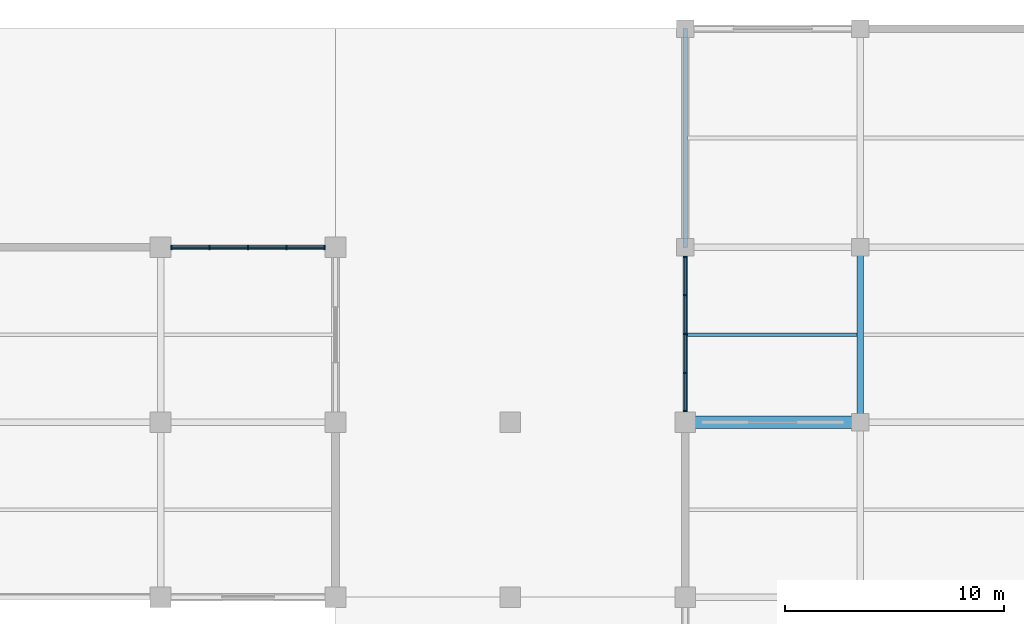
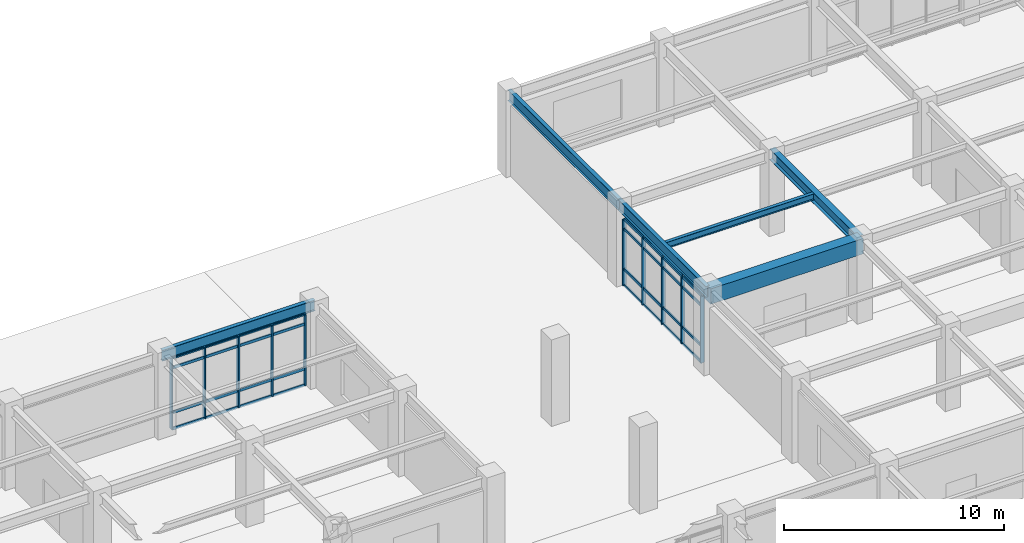
# One storey, part 48 of 109: 42 members, 6 beams, 2 elements without a shape of their own.
"""IFC4 building model written with IfcOpenShell, lengths in metres."""

from ifc_helpers import new_model, si_unit, direction, frame, origin, origin_2d, place, context, subcontext, project, spatial, rectangle, i_section, extrude, material, layer, layer_set, material_profile, profile_set, type_object, element, aggregate, save


model = new_model("IFC4")

# Units and contexts
model_context = context("Model", 3, precision=1e-05, world=origin(), true_north=direction((0.0, 1.0)))
body_context = subcontext(model_context, "Body", "Model", "MODEL_VIEW")
ifc_project = project(units=[si_unit("LENGTHUNIT", "METRE"), si_unit("AREAUNIT", "SQUARE_METRE"), si_unit("VOLUMEUNIT", "CUBIC_METRE"), si_unit("PLANEANGLEUNIT", "RADIAN"), si_unit("MASSUNIT", "GRAM", prefix="KILO")], contexts=[model_context])

# Site, building, storey
site_placement = place(None, origin())
site = spatial("IfcSite", under=ifc_project, at=site_placement, CompositionType="ELEMENT")
building_placement = place(site_placement, origin())
building = spatial("IfcBuilding", under=site, at=building_placement, Name="Haebicheon Civic Stadium", CompositionType="ELEMENT")
storey_placement = place(building_placement, frame((0.0, 0.0, 9.60009765625)))
storey = spatial("IfcBuildingStorey", under=building, at=storey_placement, Name="L03", CompositionType="ELEMENT", Elevation=9.60009765625)

# Beams
ifc_material_1 = material(Name="Concrete C40/50", Category="concrete")
ifc_material_profile_1 = material_profile(ifc_material_1, rectangle(XDim=0.550048828125, YDim=0.85009765625, at=origin_2d()), Name="RC-BM-550x850")
ifc_profile_set_1 = profile_set([ifc_material_profile_1], Name="Concrete C40/50")
beam_type_1 = type_object("IfcBeamType", Name="BM-RC-550x850", PredefinedType="BEAM", material=ifc_profile_set_1)
beam_1_placement = place(storey_placement, frame((160.0, 160.0, 4.114990234375), z_axis=(1.0, 0.0, 0.0), x_axis=(0.0, 1.0, 0.0)))
element("IfcBeam", 1, at=beam_1_placement, inside=storey, type_object=beam_type_1, material=ifc_profile_set_1, Name="L03 beam W/21-22", PredefinedType="BEAM", context=body_context, shape_type="SweptSolid", body=[
    extrude(rectangle(XDim=0.550048828125, YDim=0.85009765625, at=origin_2d()), origin(), (0.0, 0.0, 1.0), 8.0),
])
ifc_material_2 = material(Name="Steel SM355 (S355)", Category="steel")
ifc_material_profile_2 = material_profile(ifc_material_2, i_section(OverallWidth=0.300048828125, OverallDepth=0.60009765625, WebThickness=0.011962890625, FlangeThickness=0.02001953125, at=origin_2d()), Name="H-600x300x12x20")
ifc_profile_set_2 = profile_set([ifc_material_profile_2], Name="Steel SM355 (S355)")
beam_type_2 = type_object("IfcBeamType", Name="BM-ST-H600A", PredefinedType="BEAM", material=ifc_profile_set_2)
beam_2_placement = place(storey_placement, frame((168.0, 160.0, 4.239990234375), z_axis=(0.0, 1.0, 0.0), x_axis=(-1.0, 0.0, 0.0)))
element("IfcBeam", 2, at=beam_2_placement, inside=storey, type_object=beam_type_2, material=ifc_profile_set_2, Name="L03 girder 22/W-X", PredefinedType="BEAM", context=body_context, shape_type="SweptSolid", body=[
    extrude(i_section(OverallWidth=0.300048828125, OverallDepth=0.60009765625, WebThickness=0.011962890625, FlangeThickness=0.02001953125, at=origin_2d()), origin(), (0.0, 0.0, 1.0), 8.0),
])

# Curtain wall, members
ifc_material_3 = material(Name="Anodised aluminium and laminated glass", Category="aluminium")
ifc_layer_1 = layer(ifc_material_3, 0.179931640625, Name="Anodised aluminium and laminated glass")
ifc_layer_set_1 = layer_set([ifc_layer_1], Name="Anodised aluminium and laminated glass")
curtain_wall_type_1 = type_object("IfcCurtainWallType", Name="CW-7050x3930", PredefinedType="NOTDEFINED", material=ifc_layer_set_1)
curtain_wall_1_placement = place(storey_placement, origin())
curtain_wall_1 = element("IfcCurtainWall", 3, at=curtain_wall_1_placement, inside=storey, type_object=curtain_wall_type_1, material=ifc_layer_set_1, Name="L03 unitised curtain wall 083", PredefinedType="NOTDEFINED")
ifc_material_4 = material(Name="Anodised aluminium 6063-T6", Category="aluminium")
ifc_material_profile_3 = material_profile(ifc_material_4, rectangle(XDim=0.070068359375, YDim=0.199951171875, at=origin_2d()), Name="ALU-MULL-70x200")
ifc_profile_set_3 = profile_set([ifc_material_profile_3], Name="Anodised aluminium 6063-T6")
member_type_1 = type_object("IfcMemberType", Name="CWM-200x70", PredefinedType="MULLION", material=ifc_profile_set_3)
member_1_placement = place(storey_placement, frame((136.510009765625, 168.0, 0.0), z_axis=(0.0, 0.0, 1.0), x_axis=(1.0, 0.0, 0.0)))
member_1 = element("IfcMember", 4, at=member_1_placement, type_object=member_type_1, material=ifc_profile_set_3, Name="CW-L03-083 vertical mullion 1", PredefinedType="MULLION", context=body_context, shape_type="SweptSolid", body=[
    extrude(rectangle(XDim=0.070068359375, YDim=0.199951171875, at=origin_2d()), origin(), (0.0, 0.0, 1.0), 3.929931640625),
])
member_2_placement = place(storey_placement, frame((138.237060546875, 168.0, 0.0), z_axis=(0.0, 0.0, 1.0), x_axis=(1.0, 0.0, 0.0)))
member_2 = element("IfcMember", 5, at=member_2_placement, type_object=member_type_1, material=ifc_profile_set_3, Name="CW-L03-083 vertical mullion 2", PredefinedType="MULLION", context=body_context, shape_type="SweptSolid", body=[
    extrude(rectangle(XDim=0.070068359375, YDim=0.199951171875, at=origin_2d()), origin(), (0.0, 0.0, 1.0), 3.929931640625),
])
member_3_placement = place(storey_placement, frame((140.0, 168.0, 0.0), z_axis=(0.0, 0.0, 1.0), x_axis=(1.0, 0.0, 0.0)))
member_3 = element("IfcMember", 6, at=member_3_placement, type_object=member_type_1, material=ifc_profile_set_3, Name="CW-L03-083 vertical mullion 3", PredefinedType="MULLION", context=body_context, shape_type="SweptSolid", body=[
    extrude(rectangle(XDim=0.070068359375, YDim=0.199951171875, at=origin_2d()), origin(), (0.0, 0.0, 1.0), 3.929931640625),
])
member_4_placement = place(storey_placement, frame((141.762939453125, 168.0, 0.0), z_axis=(0.0, 0.0, 1.0), x_axis=(1.0, 0.0, 0.0)))
member_4 = element("IfcMember", 7, at=member_4_placement, type_object=member_type_1, material=ifc_profile_set_3, Name="CW-L03-083 vertical mullion 4", PredefinedType="MULLION", context=body_context, shape_type="SweptSolid", body=[
    extrude(rectangle(XDim=0.070068359375, YDim=0.199951171875, at=origin_2d()), origin(), (0.0, 0.0, 1.0), 3.929931640625),
])
member_5_placement = place(storey_placement, frame((143.489990234375, 168.0, 0.0), z_axis=(0.0, 0.0, 1.0), x_axis=(1.0, 0.0, 0.0)))
member_5 = element("IfcMember", 8, at=member_5_placement, type_object=member_type_1, material=ifc_profile_set_3, Name="CW-L03-083 vertical mullion 5", PredefinedType="MULLION", context=body_context, shape_type="SweptSolid", body=[
    extrude(rectangle(XDim=0.070068359375, YDim=0.199951171875, at=origin_2d()), origin(), (0.0, 0.0, 1.0), 3.929931640625),
])

ifc_material_5 = material(Name="Anodised aluminium and laminated glass", Category="aluminium")
ifc_layer_2 = layer(ifc_material_5, 0.179931640625, Name="Anodised aluminium and laminated glass")
ifc_layer_set_2 = layer_set([ifc_layer_2], Name="Anodised aluminium and laminated glass")
curtain_wall_type_2 = type_object("IfcCurtainWallType", Name="CW-7125x3680", PredefinedType="NOTDEFINED", material=ifc_layer_set_2)
curtain_wall_2_placement = place(storey_placement, origin())
curtain_wall_2 = element("IfcCurtainWall", 9, at=curtain_wall_2_placement, inside=storey, type_object=curtain_wall_type_2, material=ifc_layer_set_2, Name="L03 unitised curtain wall 090", PredefinedType="NOTDEFINED")
member_6_placement = place(storey_placement, frame((160.0, 160.510009765625, 0.0), z_axis=(0.0, 0.0, 1.0), x_axis=(0.0, 1.0, 0.0)))
member_6 = element("IfcMember", 10, at=member_6_placement, type_object=member_type_1, material=ifc_profile_set_3, Name="CW-L03-090 vertical mullion 1", PredefinedType="MULLION", context=body_context, shape_type="SweptSolid", body=[
    extrude(rectangle(XDim=0.070068359375, YDim=0.199951171875, at=origin_2d()), origin(), (0.0, 0.0, 1.0), 3.679931640625),
])
member_7_placement = place(storey_placement, frame((160.0, 162.256103515625, 0.0), z_axis=(0.0, 0.0, 1.0), x_axis=(0.0, 1.0, 0.0)))
member_7 = element("IfcMember", 11, at=member_7_placement, type_object=member_type_1, material=ifc_profile_set_3, Name="CW-L03-090 vertical mullion 2", PredefinedType="MULLION", context=body_context, shape_type="SweptSolid", body=[
    extrude(rectangle(XDim=0.070068359375, YDim=0.199951171875, at=origin_2d()), origin(), (0.0, 0.0, 1.0), 3.679931640625),
])
member_8_placement = place(storey_placement, frame((160.0, 164.037109375, 0.0), z_axis=(0.0, 0.0, 1.0), x_axis=(0.0, 1.0, 0.0)))
member_8 = element("IfcMember", 12, at=member_8_placement, type_object=member_type_1, material=ifc_profile_set_3, Name="CW-L03-090 vertical mullion 3", PredefinedType="MULLION", context=body_context, shape_type="SweptSolid", body=[
    extrude(rectangle(XDim=0.070068359375, YDim=0.199951171875, at=origin_2d()), origin(), (0.0, 0.0, 1.0), 3.679931640625),
])
member_9_placement = place(storey_placement, frame((160.0, 165.819091796875, 0.0), z_axis=(0.0, 0.0, 1.0), x_axis=(0.0, 1.0, 0.0)))
member_9 = element("IfcMember", 13, at=member_9_placement, type_object=member_type_1, material=ifc_profile_set_3, Name="CW-L03-090 vertical mullion 4", PredefinedType="MULLION", context=body_context, shape_type="SweptSolid", body=[
    extrude(rectangle(XDim=0.070068359375, YDim=0.199951171875, at=origin_2d()), origin(), (0.0, 0.0, 1.0), 3.679931640625),
])
member_10_placement = place(storey_placement, frame((160.0, 167.56494140625, 0.0), z_axis=(0.0, 0.0, 1.0), x_axis=(0.0, 1.0, 0.0)))
member_10 = element("IfcMember", 14, at=member_10_placement, type_object=member_type_1, material=ifc_profile_set_3, Name="CW-L03-090 vertical mullion 5", PredefinedType="MULLION", context=body_context, shape_type="SweptSolid", body=[
    extrude(rectangle(XDim=0.070068359375, YDim=0.199951171875, at=origin_2d()), origin(), (0.0, 0.0, 1.0), 3.679931640625),
])

# Member
ifc_material_6 = material(Name="Anodised aluminium 6063-T6", Category="aluminium")
ifc_material_profile_4 = material_profile(ifc_material_6, rectangle(XDim=0.070068359375, YDim=0.14990234375, at=origin_2d()), Name="ALU-TRAN-70x150")
ifc_profile_set_4 = profile_set([ifc_material_profile_4], Name="Anodised aluminium 6063-T6")
member_type_2 = type_object("IfcMemberType", Name="CWT-150x70", PredefinedType="NOTDEFINED", material=ifc_profile_set_4)
member_11_placement = place(storey_placement, frame((136.544921875, 168.0, 0.0), z_axis=(1.0, 0.0, 0.0), x_axis=(0.0, 1.0, 0.0)))
member_11 = element("IfcMember", 15, at=member_11_placement, type_object=member_type_2, material=ifc_profile_set_4, Name="CW-L03-083 horizontal transom 1.1", ObjectType="TRANSOM", PredefinedType="USERDEFINED", context=body_context, shape_type="SweptSolid", body=[
    extrude(rectangle(XDim=0.070068359375, YDim=0.14990234375, at=origin_2d()), origin(), (0.0, 0.0, 1.0), 1.656982421875),
])

member_12_placement = place(storey_placement, frame((136.544921875, 168.0, 0.89990234375), z_axis=(1.0, 0.0, 0.0), x_axis=(0.0, 1.0, 0.0)))
member_12 = element("IfcMember", 16, at=member_12_placement, type_object=member_type_2, material=ifc_profile_set_4, Name="CW-L03-083 horizontal transom 1.2", ObjectType="TRANSOM", PredefinedType="USERDEFINED", context=body_context, shape_type="SweptSolid", body=[
    extrude(rectangle(XDim=0.070068359375, YDim=0.14990234375, at=origin_2d()), origin(), (0.0, 0.0, 1.0), 1.656982421875),
])

member_13_placement = place(storey_placement, frame((136.544921875, 168.0, 3.3798828125), z_axis=(1.0, 0.0, 0.0), x_axis=(0.0, 1.0, 0.0)))
member_13 = element("IfcMember", 17, at=member_13_placement, type_object=member_type_2, material=ifc_profile_set_4, Name="CW-L03-083 horizontal transom 1.3", ObjectType="TRANSOM", PredefinedType="USERDEFINED", context=body_context, shape_type="SweptSolid", body=[
    extrude(rectangle(XDim=0.070068359375, YDim=0.14990234375, at=origin_2d()), origin(), (0.0, 0.0, 1.0), 1.656982421875),
])

member_14_placement = place(storey_placement, frame((136.544921875, 168.0, 3.929931640625), z_axis=(1.0, 0.0, 0.0), x_axis=(0.0, 1.0, 0.0)))
member_14 = element("IfcMember", 18, at=member_14_placement, type_object=member_type_2, material=ifc_profile_set_4, Name="CW-L03-083 horizontal transom 1.4", ObjectType="TRANSOM", PredefinedType="USERDEFINED", context=body_context, shape_type="SweptSolid", body=[
    extrude(rectangle(XDim=0.070068359375, YDim=0.14990234375, at=origin_2d()), origin(), (0.0, 0.0, 1.0), 1.656982421875),
])

member_15_placement = place(storey_placement, frame((138.27197265625, 168.0, 0.0), z_axis=(1.0, 0.0, 0.0), x_axis=(0.0, 1.0, 0.0)))
member_15 = element("IfcMember", 19, at=member_15_placement, type_object=member_type_2, material=ifc_profile_set_4, Name="CW-L03-083 horizontal transom 2.1", ObjectType="TRANSOM", PredefinedType="USERDEFINED", context=body_context, shape_type="SweptSolid", body=[
    extrude(rectangle(XDim=0.070068359375, YDim=0.14990234375, at=origin_2d()), origin(), (0.0, 0.0, 1.0), 1.693115234375),
])

member_16_placement = place(storey_placement, frame((138.27197265625, 168.0, 0.89990234375), z_axis=(1.0, 0.0, 0.0), x_axis=(0.0, 1.0, 0.0)))
member_16 = element("IfcMember", 20, at=member_16_placement, type_object=member_type_2, material=ifc_profile_set_4, Name="CW-L03-083 horizontal transom 2.2", ObjectType="TRANSOM", PredefinedType="USERDEFINED", context=body_context, shape_type="SweptSolid", body=[
    extrude(rectangle(XDim=0.070068359375, YDim=0.14990234375, at=origin_2d()), origin(), (0.0, 0.0, 1.0), 1.693115234375),
])

member_17_placement = place(storey_placement, frame((138.27197265625, 168.0, 3.3798828125), z_axis=(1.0, 0.0, 0.0), x_axis=(0.0, 1.0, 0.0)))
member_17 = element("IfcMember", 21, at=member_17_placement, type_object=member_type_2, material=ifc_profile_set_4, Name="CW-L03-083 horizontal transom 2.3", ObjectType="TRANSOM", PredefinedType="USERDEFINED", context=body_context, shape_type="SweptSolid", body=[
    extrude(rectangle(XDim=0.070068359375, YDim=0.14990234375, at=origin_2d()), origin(), (0.0, 0.0, 1.0), 1.693115234375),
])

member_18_placement = place(storey_placement, frame((138.27197265625, 168.0, 3.929931640625), z_axis=(1.0, 0.0, 0.0), x_axis=(0.0, 1.0, 0.0)))
member_18 = element("IfcMember", 22, at=member_18_placement, type_object=member_type_2, material=ifc_profile_set_4, Name="CW-L03-083 horizontal transom 2.4", ObjectType="TRANSOM", PredefinedType="USERDEFINED", context=body_context, shape_type="SweptSolid", body=[
    extrude(rectangle(XDim=0.070068359375, YDim=0.14990234375, at=origin_2d()), origin(), (0.0, 0.0, 1.0), 1.693115234375),
])

member_19_placement = place(storey_placement, frame((140.034912109375, 168.0, 0.0), z_axis=(1.0, 0.0, 0.0), x_axis=(0.0, 1.0, 0.0)))
member_19 = element("IfcMember", 23, at=member_19_placement, type_object=member_type_2, material=ifc_profile_set_4, Name="CW-L03-083 horizontal transom 3.1", ObjectType="TRANSOM", PredefinedType="USERDEFINED", context=body_context, shape_type="SweptSolid", body=[
    extrude(rectangle(XDim=0.070068359375, YDim=0.14990234375, at=origin_2d()), origin(), (0.0, 0.0, 1.0), 1.693115234375),
])

member_20_placement = place(storey_placement, frame((140.034912109375, 168.0, 0.89990234375), z_axis=(1.0, 0.0, 0.0), x_axis=(0.0, 1.0, 0.0)))
member_20 = element("IfcMember", 24, at=member_20_placement, type_object=member_type_2, material=ifc_profile_set_4, Name="CW-L03-083 horizontal transom 3.2", ObjectType="TRANSOM", PredefinedType="USERDEFINED", context=body_context, shape_type="SweptSolid", body=[
    extrude(rectangle(XDim=0.070068359375, YDim=0.14990234375, at=origin_2d()), origin(), (0.0, 0.0, 1.0), 1.693115234375),
])

member_21_placement = place(storey_placement, frame((140.034912109375, 168.0, 3.3798828125), z_axis=(1.0, 0.0, 0.0), x_axis=(0.0, 1.0, 0.0)))
member_21 = element("IfcMember", 25, at=member_21_placement, type_object=member_type_2, material=ifc_profile_set_4, Name="CW-L03-083 horizontal transom 3.3", ObjectType="TRANSOM", PredefinedType="USERDEFINED", context=body_context, shape_type="SweptSolid", body=[
    extrude(rectangle(XDim=0.070068359375, YDim=0.14990234375, at=origin_2d()), origin(), (0.0, 0.0, 1.0), 1.693115234375),
])

member_22_placement = place(storey_placement, frame((140.034912109375, 168.0, 3.929931640625), z_axis=(1.0, 0.0, 0.0), x_axis=(0.0, 1.0, 0.0)))
member_22 = element("IfcMember", 26, at=member_22_placement, type_object=member_type_2, material=ifc_profile_set_4, Name="CW-L03-083 horizontal transom 3.4", ObjectType="TRANSOM", PredefinedType="USERDEFINED", context=body_context, shape_type="SweptSolid", body=[
    extrude(rectangle(XDim=0.070068359375, YDim=0.14990234375, at=origin_2d()), origin(), (0.0, 0.0, 1.0), 1.693115234375),
])

member_23_placement = place(storey_placement, frame((141.798095703125, 168.0, 0.0), z_axis=(1.0, 0.0, 0.0), x_axis=(0.0, 1.0, 0.0)))
member_23 = element("IfcMember", 27, at=member_23_placement, type_object=member_type_2, material=ifc_profile_set_4, Name="CW-L03-083 horizontal transom 4.1", ObjectType="TRANSOM", PredefinedType="USERDEFINED", context=body_context, shape_type="SweptSolid", body=[
    extrude(rectangle(XDim=0.070068359375, YDim=0.14990234375, at=origin_2d()), origin(), (0.0, 0.0, 1.0), 1.656982421875),
])

member_24_placement = place(storey_placement, frame((141.798095703125, 168.0, 0.89990234375), z_axis=(1.0, 0.0, 0.0), x_axis=(0.0, 1.0, 0.0)))
member_24 = element("IfcMember", 28, at=member_24_placement, type_object=member_type_2, material=ifc_profile_set_4, Name="CW-L03-083 horizontal transom 4.2", ObjectType="TRANSOM", PredefinedType="USERDEFINED", context=body_context, shape_type="SweptSolid", body=[
    extrude(rectangle(XDim=0.070068359375, YDim=0.14990234375, at=origin_2d()), origin(), (0.0, 0.0, 1.0), 1.656982421875),
])

member_25_placement = place(storey_placement, frame((141.798095703125, 168.0, 3.3798828125), z_axis=(1.0, 0.0, 0.0), x_axis=(0.0, 1.0, 0.0)))
member_25 = element("IfcMember", 29, at=member_25_placement, type_object=member_type_2, material=ifc_profile_set_4, Name="CW-L03-083 horizontal transom 4.3", ObjectType="TRANSOM", PredefinedType="USERDEFINED", context=body_context, shape_type="SweptSolid", body=[
    extrude(rectangle(XDim=0.070068359375, YDim=0.14990234375, at=origin_2d()), origin(), (0.0, 0.0, 1.0), 1.656982421875),
])

member_26_placement = place(storey_placement, frame((141.798095703125, 168.0, 3.929931640625), z_axis=(1.0, 0.0, 0.0), x_axis=(0.0, 1.0, 0.0)))
member_26 = element("IfcMember", 30, at=member_26_placement, type_object=member_type_2, material=ifc_profile_set_4, Name="CW-L03-083 horizontal transom 4.4", ObjectType="TRANSOM", PredefinedType="USERDEFINED", context=body_context, shape_type="SweptSolid", body=[
    extrude(rectangle(XDim=0.070068359375, YDim=0.14990234375, at=origin_2d()), origin(), (0.0, 0.0, 1.0), 1.656982421875),
])

aggregate(curtain_wall_1, [member_1, member_2, member_3, member_4, member_5, member_11, member_12, member_13, member_14, member_15, member_16, member_17, member_18, member_19, member_20, member_21, member_22, member_23, member_24, member_25, member_26])

member_27_placement = place(storey_placement, frame((160.0, 160.544921875, 0.0), z_axis=(0.0, 1.0, 0.0), x_axis=(-1.0, 0.0, 0.0)))
member_27 = element("IfcMember", 31, at=member_27_placement, type_object=member_type_2, material=ifc_profile_set_4, Name="CW-L03-090 horizontal transom 1.1", ObjectType="TRANSOM", PredefinedType="USERDEFINED", context=body_context, shape_type="SweptSolid", body=[
    extrude(rectangle(XDim=0.070068359375, YDim=0.14990234375, at=origin_2d()), origin(), (0.0, 0.0, 1.0), 1.676025390625),
])

member_28_placement = place(storey_placement, frame((160.0, 160.544921875, 0.89990234375), z_axis=(0.0, 1.0, 0.0), x_axis=(-1.0, 0.0, 0.0)))
member_28 = element("IfcMember", 32, at=member_28_placement, type_object=member_type_2, material=ifc_profile_set_4, Name="CW-L03-090 horizontal transom 1.2", ObjectType="TRANSOM", PredefinedType="USERDEFINED", context=body_context, shape_type="SweptSolid", body=[
    extrude(rectangle(XDim=0.070068359375, YDim=0.14990234375, at=origin_2d()), origin(), (0.0, 0.0, 1.0), 1.676025390625),
])

member_29_placement = place(storey_placement, frame((160.0, 160.544921875, 3.1298828125), z_axis=(0.0, 1.0, 0.0), x_axis=(-1.0, 0.0, 0.0)))
member_29 = element("IfcMember", 33, at=member_29_placement, type_object=member_type_2, material=ifc_profile_set_4, Name="CW-L03-090 horizontal transom 1.3", ObjectType="TRANSOM", PredefinedType="USERDEFINED", context=body_context, shape_type="SweptSolid", body=[
    extrude(rectangle(XDim=0.070068359375, YDim=0.14990234375, at=origin_2d()), origin(), (0.0, 0.0, 1.0), 1.676025390625),
])

member_30_placement = place(storey_placement, frame((160.0, 160.544921875, 3.679931640625), z_axis=(0.0, 1.0, 0.0), x_axis=(-1.0, 0.0, 0.0)))
member_30 = element("IfcMember", 34, at=member_30_placement, type_object=member_type_2, material=ifc_profile_set_4, Name="CW-L03-090 horizontal transom 1.4", ObjectType="TRANSOM", PredefinedType="USERDEFINED", context=body_context, shape_type="SweptSolid", body=[
    extrude(rectangle(XDim=0.070068359375, YDim=0.14990234375, at=origin_2d()), origin(), (0.0, 0.0, 1.0), 1.676025390625),
])

member_31_placement = place(storey_placement, frame((160.0, 162.291015625, 0.0), z_axis=(0.0, 1.0, 0.0), x_axis=(-1.0, 0.0, 0.0)))
member_31 = element("IfcMember", 35, at=member_31_placement, type_object=member_type_2, material=ifc_profile_set_4, Name="CW-L03-090 horizontal transom 2.1", ObjectType="TRANSOM", PredefinedType="USERDEFINED", context=body_context, shape_type="SweptSolid", body=[
    extrude(rectangle(XDim=0.070068359375, YDim=0.14990234375, at=origin_2d()), origin(), (0.0, 0.0, 1.0), 1.7109375),
])

member_32_placement = place(storey_placement, frame((160.0, 162.291015625, 0.89990234375), z_axis=(0.0, 1.0, 0.0), x_axis=(-1.0, 0.0, 0.0)))
member_32 = element("IfcMember", 36, at=member_32_placement, type_object=member_type_2, material=ifc_profile_set_4, Name="CW-L03-090 horizontal transom 2.2", ObjectType="TRANSOM", PredefinedType="USERDEFINED", context=body_context, shape_type="SweptSolid", body=[
    extrude(rectangle(XDim=0.070068359375, YDim=0.14990234375, at=origin_2d()), origin(), (0.0, 0.0, 1.0), 1.7109375),
])

member_33_placement = place(storey_placement, frame((160.0, 162.291015625, 3.1298828125), z_axis=(0.0, 1.0, 0.0), x_axis=(-1.0, 0.0, 0.0)))
member_33 = element("IfcMember", 37, at=member_33_placement, type_object=member_type_2, material=ifc_profile_set_4, Name="CW-L03-090 horizontal transom 2.3", ObjectType="TRANSOM", PredefinedType="USERDEFINED", context=body_context, shape_type="SweptSolid", body=[
    extrude(rectangle(XDim=0.070068359375, YDim=0.14990234375, at=origin_2d()), origin(), (0.0, 0.0, 1.0), 1.7109375),
])

member_34_placement = place(storey_placement, frame((160.0, 162.291015625, 3.679931640625), z_axis=(0.0, 1.0, 0.0), x_axis=(-1.0, 0.0, 0.0)))
member_34 = element("IfcMember", 38, at=member_34_placement, type_object=member_type_2, material=ifc_profile_set_4, Name="CW-L03-090 horizontal transom 2.4", ObjectType="TRANSOM", PredefinedType="USERDEFINED", context=body_context, shape_type="SweptSolid", body=[
    extrude(rectangle(XDim=0.070068359375, YDim=0.14990234375, at=origin_2d()), origin(), (0.0, 0.0, 1.0), 1.7109375),
])

member_35_placement = place(storey_placement, frame((160.0, 164.072021484375, 0.0), z_axis=(0.0, 1.0, 0.0), x_axis=(-1.0, 0.0, 0.0)))
member_35 = element("IfcMember", 39, at=member_35_placement, type_object=member_type_2, material=ifc_profile_set_4, Name="CW-L03-090 horizontal transom 3.1", ObjectType="TRANSOM", PredefinedType="USERDEFINED", context=body_context, shape_type="SweptSolid", body=[
    extrude(rectangle(XDim=0.070068359375, YDim=0.14990234375, at=origin_2d()), origin(), (0.0, 0.0, 1.0), 1.7119140625),
])

member_36_placement = place(storey_placement, frame((160.0, 164.072021484375, 0.89990234375), z_axis=(0.0, 1.0, 0.0), x_axis=(-1.0, 0.0, 0.0)))
member_36 = element("IfcMember", 40, at=member_36_placement, type_object=member_type_2, material=ifc_profile_set_4, Name="CW-L03-090 horizontal transom 3.2", ObjectType="TRANSOM", PredefinedType="USERDEFINED", context=body_context, shape_type="SweptSolid", body=[
    extrude(rectangle(XDim=0.070068359375, YDim=0.14990234375, at=origin_2d()), origin(), (0.0, 0.0, 1.0), 1.7119140625),
])

member_37_placement = place(storey_placement, frame((160.0, 164.072021484375, 3.1298828125), z_axis=(0.0, 1.0, 0.0), x_axis=(-1.0, 0.0, 0.0)))
member_37 = element("IfcMember", 41, at=member_37_placement, type_object=member_type_2, material=ifc_profile_set_4, Name="CW-L03-090 horizontal transom 3.3", ObjectType="TRANSOM", PredefinedType="USERDEFINED", context=body_context, shape_type="SweptSolid", body=[
    extrude(rectangle(XDim=0.070068359375, YDim=0.14990234375, at=origin_2d()), origin(), (0.0, 0.0, 1.0), 1.7119140625),
])

member_38_placement = place(storey_placement, frame((160.0, 164.072021484375, 3.679931640625), z_axis=(0.0, 1.0, 0.0), x_axis=(-1.0, 0.0, 0.0)))
member_38 = element("IfcMember", 42, at=member_38_placement, type_object=member_type_2, material=ifc_profile_set_4, Name="CW-L03-090 horizontal transom 3.4", ObjectType="TRANSOM", PredefinedType="USERDEFINED", context=body_context, shape_type="SweptSolid", body=[
    extrude(rectangle(XDim=0.070068359375, YDim=0.14990234375, at=origin_2d()), origin(), (0.0, 0.0, 1.0), 1.7119140625),
])

member_39_placement = place(storey_placement, frame((160.0, 165.85400390625, 0.0), z_axis=(0.0, 1.0, 0.0), x_axis=(-1.0, 0.0, 0.0)))
member_39 = element("IfcMember", 43, at=member_39_placement, type_object=member_type_2, material=ifc_profile_set_4, Name="CW-L03-090 horizontal transom 4.1", ObjectType="TRANSOM", PredefinedType="USERDEFINED", context=body_context, shape_type="SweptSolid", body=[
    extrude(rectangle(XDim=0.070068359375, YDim=0.14990234375, at=origin_2d()), origin(), (0.0, 0.0, 1.0), 1.676025390625),
])

member_40_placement = place(storey_placement, frame((160.0, 165.85400390625, 0.89990234375), z_axis=(0.0, 1.0, 0.0), x_axis=(-1.0, 0.0, 0.0)))
member_40 = element("IfcMember", 44, at=member_40_placement, type_object=member_type_2, material=ifc_profile_set_4, Name="CW-L03-090 horizontal transom 4.2", ObjectType="TRANSOM", PredefinedType="USERDEFINED", context=body_context, shape_type="SweptSolid", body=[
    extrude(rectangle(XDim=0.070068359375, YDim=0.14990234375, at=origin_2d()), origin(), (0.0, 0.0, 1.0), 1.676025390625),
])

member_41_placement = place(storey_placement, frame((160.0, 165.85400390625, 3.1298828125), z_axis=(0.0, 1.0, 0.0), x_axis=(-1.0, 0.0, 0.0)))
member_41 = element("IfcMember", 45, at=member_41_placement, type_object=member_type_2, material=ifc_profile_set_4, Name="CW-L03-090 horizontal transom 4.3", ObjectType="TRANSOM", PredefinedType="USERDEFINED", context=body_context, shape_type="SweptSolid", body=[
    extrude(rectangle(XDim=0.070068359375, YDim=0.14990234375, at=origin_2d()), origin(), (0.0, 0.0, 1.0), 1.676025390625),
])

member_42_placement = place(storey_placement, frame((160.0, 165.85400390625, 3.679931640625), z_axis=(0.0, 1.0, 0.0), x_axis=(-1.0, 0.0, 0.0)))
member_42 = element("IfcMember", 46, at=member_42_placement, type_object=member_type_2, material=ifc_profile_set_4, Name="CW-L03-090 horizontal transom 4.4", ObjectType="TRANSOM", PredefinedType="USERDEFINED", context=body_context, shape_type="SweptSolid", body=[
    extrude(rectangle(XDim=0.070068359375, YDim=0.14990234375, at=origin_2d()), origin(), (0.0, 0.0, 1.0), 1.676025390625),
])

aggregate(curtain_wall_2, [member_6, member_7, member_8, member_9, member_10, member_27, member_28, member_29, member_30, member_31, member_32, member_33, member_34, member_35, member_36, member_37, member_38, member_39, member_40, member_41, member_42])

# Beams
ifc_material_7 = material(Name="Steel SM355 (S355)", Category="steel")
ifc_material_profile_5 = material_profile(ifc_material_7, i_section(OverallWidth=0.175048828125, OverallDepth=0.35009765625, WebThickness=0.007080078125, FlangeThickness=0.010986328125, at=origin_2d()), Name="H-350x175x7x11")
ifc_profile_set_5 = profile_set([ifc_material_profile_5], Name="Steel SM355 (S355)")
beam_type_3 = type_object("IfcBeamType", Name="JST-ST-H350", PredefinedType="JOIST", material=ifc_profile_set_5)
beam_3_placement = place(storey_placement, frame((160.10009765625, 164.0, 4.364990234375), z_axis=(1.0, 0.0, 0.0), x_axis=(0.0, 1.0, 0.0)))
element("IfcBeam", 47, at=beam_3_placement, inside=storey, type_object=beam_type_3, material=ifc_profile_set_5, Name="L03 secondary joist 20-20", PredefinedType="JOIST", context=body_context, shape_type="SweptSolid", body=[
    extrude(i_section(OverallWidth=0.175048828125, OverallDepth=0.35009765625, WebThickness=0.007080078125, FlangeThickness=0.010986328125, at=origin_2d()), origin(), (0.0, 0.0, 1.0), 7.75),
])
ifc_material_8 = material(Name="Steel SM355 (S355)", Category="steel")
ifc_material_profile_6 = material_profile(ifc_material_8, i_section(OverallWidth=0.199951171875, OverallDepth=0.60009765625, WebThickness=0.010986328125, FlangeThickness=0.01708984375, at=origin_2d()), Name="H-600x200x11x17")
ifc_profile_set_6 = profile_set([ifc_material_profile_6], Name="Steel SM355 (S355)")
beam_type_4 = type_object("IfcBeamType", Name="SPD-ST-H600B", PredefinedType="SPANDREL", material=ifc_profile_set_6)
beam_4_placement = place(storey_placement, frame((160.0, 160.0, 4.239990234375), z_axis=(0.0, 1.0, 0.0), x_axis=(-1.0, 0.0, 0.0)))
element("IfcBeam", 48, at=beam_4_placement, inside=storey, type_object=beam_type_4, material=ifc_profile_set_6, Name="L03 girder 21/W-X", PredefinedType="SPANDREL", context=body_context, shape_type="SweptSolid", body=[
    extrude(i_section(OverallWidth=0.199951171875, OverallDepth=0.60009765625, WebThickness=0.010986328125, FlangeThickness=0.01708984375, at=origin_2d()), origin(), (0.0, 0.0, 1.0), 8.0),
])
beam_5_placement = place(storey_placement, frame((160.0, 168.0, 4.239990234375), z_axis=(0.0, 1.0, 0.0), x_axis=(-1.0, 0.0, 0.0)))
element("IfcBeam", 49, at=beam_5_placement, inside=storey, type_object=beam_type_4, material=ifc_profile_set_6, Name="L03 girder 21/X-Y", PredefinedType="SPANDREL", context=body_context, shape_type="SweptSolid", body=[
    extrude(i_section(OverallWidth=0.199951171875, OverallDepth=0.60009765625, WebThickness=0.010986328125, FlangeThickness=0.01708984375, at=origin_2d()), origin(), (0.0, 0.0, 1.0), 10.0),
])
beam_6_placement = place(storey_placement, frame((136.0, 168.0, 4.27978515625), z_axis=(1.0, 0.0, 0.0), x_axis=(0.0, 1.0, 0.0)))
element("IfcBeam", 50, at=beam_6_placement, inside=storey, type_object=beam_type_4, material=ifc_profile_set_6, Name="L03 beam X/18-19", PredefinedType="SPANDREL", context=body_context, shape_type="SweptSolid", body=[
    extrude(i_section(OverallWidth=0.199951171875, OverallDepth=0.60009765625, WebThickness=0.010986328125, FlangeThickness=0.01708984375, at=origin_2d()), origin(), (0.0, 0.0, 1.0), 8.0),
])

save(model, "model.ifc")
